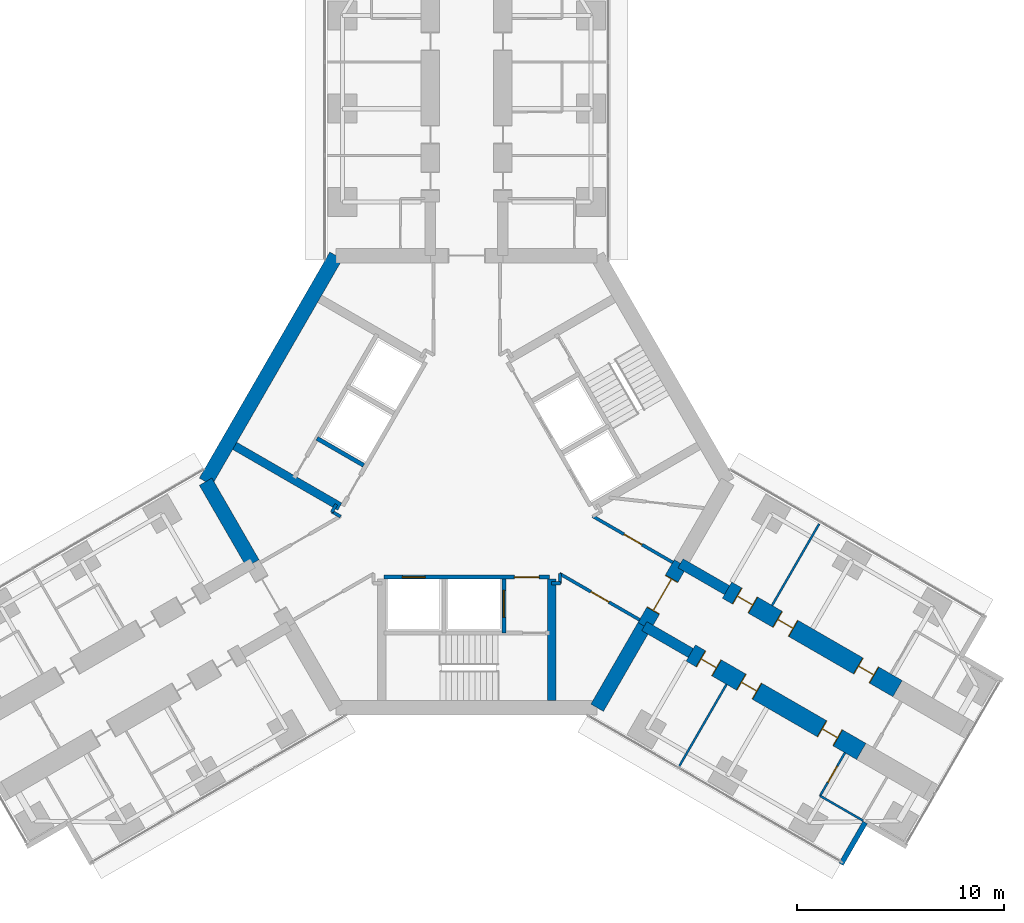
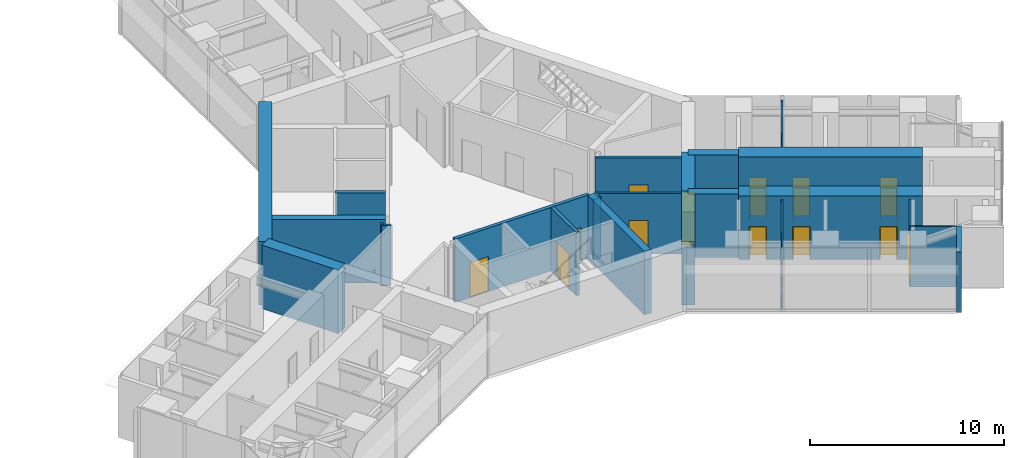
# One storey, part 21 of 25: 24 walls, 13 doors, 13 openings.
"""IFC4 building model written with IfcOpenShell, lengths in metres."""

from ifc_helpers import new_model, si_unit, direction, frame, frame_2d, origin, place, context, subcontext, project, spatial, rectangle, extrude, material, layer, layer_set, type_object, element, fill, save


model = new_model("IFC4")

# Units and contexts
model_context = context("Model", 3, precision=1e-05, world=origin(), true_north=direction((0.0, 1.0)))
body_context = subcontext(model_context, "Body", "Model", "MODEL_VIEW")
ifc_project = project(units=[si_unit("LENGTHUNIT", "METRE"), si_unit("AREAUNIT", "SQUARE_METRE"), si_unit("VOLUMEUNIT", "CUBIC_METRE"), si_unit("PLANEANGLEUNIT", "RADIAN"), si_unit("MASSUNIT", "GRAM", prefix="KILO")], contexts=[model_context])

# Site, building, storey
site_placement = place(None, origin())
site = spatial("IfcSite", under=ifc_project, at=site_placement, CompositionType="ELEMENT")
building_placement = place(site_placement, origin())
building = spatial("IfcBuilding", under=site, at=building_placement, Name="Upepo Twin Towers", CompositionType="ELEMENT")
storey_placement = place(building_placement, frame((0.0, 0.0, 76.5)))
storey = spatial("IfcBuildingStorey", under=building, at=storey_placement, Name="L18", CompositionType="ELEMENT", Elevation=76.5)

# Walls
ifc_material_1 = material(Name="Concrete C60/75", Category="concrete")
ifc_layer_1 = layer(ifc_material_1, 0.5)
ifc_layer_set_1 = layer_set([ifc_layer_1], Name="Concrete C60/75")
wall_type_1 = type_object("IfcWallType", Name="Buttress wall 500 RC", PredefinedType="SHEAR", material=ifc_layer_set_1)
for number, where, z_axis, x_axis, name in (
    (1, (68.82177734375, -21.938720703125, 0.0), (0.0, 0.0, 1.0), (0.866072649678, -0.499918158782, 0.0), "T2 wing C buttress wall L"),
    (2, (67.07177734375, -24.9697265625, 0.0), (0.0, 0.0, 1.0), (0.866031863473, -0.499988811324, 0.0), "T2 wing C buttress wall R"),
):
    element("IfcWall", number, at=place(storey_placement, frame(where, z_axis=z_axis, x_axis=x_axis)), inside=storey, type_object=wall_type_1, Name=name, PredefinedType="SHEAR", context=body_context, shape_type="SweptSolid", body=[
        extrude(rectangle(XDim=2.591796875, YDim=0.5, at=frame_2d((1.2958984375, 0.0))), origin(), (0.0, 0.0, 1.0), 4.0),
    ])

# Wall, openings, doors
ifc_material_2 = material(Name="Concrete C60/75", Category="concrete")
ifc_layer_2 = layer(ifc_material_2, 0.89990234375)
ifc_layer_set_2 = layer_set([ifc_layer_2], Name="Concrete C60/75")
wall_type_2 = type_object("IfcWallType", Name="Buttress wall 900 RC", PredefinedType="SHEAR", material=ifc_layer_set_2)
wall_1_placement = place(storey_placement, frame((71.06640625, -23.234375, 0.0), z_axis=(0.0, 0.0, 1.0), x_axis=(0.86602681393, -0.499997557548, 0.0)))
wall_1 = element("IfcWall", 3, at=wall_1_placement, inside=storey, type_object=wall_type_2, Name="T2 wing C buttress wall L part 2", PredefinedType="SHEAR", context=body_context, shape_type="SweptSolid", body=[
    extrude(rectangle(XDim=9.5, YDim=0.89990234375, at=frame_2d((4.75, 0.0))), origin(), (0.0, 0.0, 1.0), 4.0),
])
opening_1_placement = place(wall_1_placement, frame((0.550048828125, 0.0, 0.0)))
opening_1 = element("IfcOpeningElement", 4, at=opening_1_placement, cuts=wall_1, Name="Opening D14", PredefinedType="OPENING", context=body_context, shape_type="SweptSolid", body=[
    extrude(rectangle(XDim=0.89990234375, YDim=2.10009765625, at=frame_2d((0.449951171875, 1.050048828125))), frame((0.0, 0.4599609375, 0.0), z_axis=(0.0, -1.0, 0.0), x_axis=(1.0, 0.0, 0.0)), (0.0, 0.0, 1.0), 0.919921875),
])
opening_2_placement = place(wall_1_placement, frame((2.800048828125, 0.0, 0.0)))
opening_2 = element("IfcOpeningElement", 5, at=opening_2_placement, cuts=wall_1, Name="Opening D14", PredefinedType="OPENING", context=body_context, shape_type="SweptSolid", body=[
    extrude(rectangle(XDim=0.89990234375, YDim=2.10009765625, at=frame_2d((0.449951171875, 1.050048828125))), frame((0.0, 0.4599609375, 0.0), z_axis=(0.0, -1.0, 0.0), x_axis=(1.0, 0.0, 0.0)), (0.0, 0.0, 1.0), 0.919921875),
])
opening_3_placement = place(wall_1_placement, frame((7.300048828125, 0.0, 0.0)))
opening_3 = element("IfcOpeningElement", 6, at=opening_3_placement, cuts=wall_1, Name="Opening D14", PredefinedType="OPENING", context=body_context, shape_type="SweptSolid", body=[
    extrude(rectangle(XDim=0.89990234375, YDim=2.10009765625, at=frame_2d((0.449951171875, 1.050048828125))), frame((0.0, 0.4599609375, 0.0), z_axis=(0.0, -1.0, 0.0), x_axis=(1.0, 0.0, 0.0)), (0.0, 0.0, 1.0), 0.919921875),
])
ifc_material_3 = material(Name="Timber doorset", Category="wood")
door_type_1 = type_object("IfcDoorType", Name="Office door 900 FD30", OperationType="SINGLE_SWING_LEFT", PredefinedType="DOOR", material=ifc_material_3)
door_1_placement = place(opening_1_placement, origin())
door_1 = element("IfcDoor", 7, at=door_1_placement, inside=storey, type_object=door_type_1, Name="T2 L18 staff office door", OperationType="SINGLE_SWING_LEFT", OverallHeight=2.10009765625, OverallWidth=0.89990234375, PredefinedType="DOOR", context=body_context, shape_type="SweptSolid", body=[
    extrude(rectangle(XDim=0.81990234375, YDim=2.06009765625, at=frame_2d((0.449951171875, 1.030029296875))), frame((0.0, 0.02490234375, 0.0), z_axis=(0.0, -1.0, 0.0), x_axis=(1.0, 0.0, 0.0)), (0.0, 0.0, 1.0), 0.050048828125),
    extrude(rectangle(XDim=0.04, YDim=2.10009765625, at=frame_2d((0.02001953125, 1.050048828125))), frame((0.0, 0.44970703125, 0.0), z_axis=(0.0, -1.0, 0.0), x_axis=(1.0, 0.0, 0.0)), (0.0, 0.0, 1.0), 0.8994140625),
    extrude(rectangle(XDim=0.04, YDim=2.10009765625, at=frame_2d((0.8798828125, 1.050048828125))), frame((0.0, 0.44970703125, 0.0), z_axis=(0.0, -1.0, 0.0), x_axis=(1.0, 0.0, 0.0)), (0.0, 0.0, 1.0), 0.8994140625),
    extrude(rectangle(XDim=0.81990234375, YDim=0.04, at=frame_2d((0.449951171875, 2.080078125))), frame((0.0, 0.44970703125, 0.0), z_axis=(0.0, -1.0, 0.0), x_axis=(1.0, 0.0, 0.0)), (0.0, 0.0, 1.0), 0.8994140625),
])
fill(opening_1, door_1)
door_2_placement = place(opening_2_placement, origin())
door_2 = element("IfcDoor", 8, at=door_2_placement, inside=storey, type_object=door_type_1, Name="T2 L18 open-plan staff office door", OperationType="SINGLE_SWING_LEFT", OverallHeight=2.10009765625, OverallWidth=0.89990234375, PredefinedType="DOOR", context=body_context, shape_type="SweptSolid", body=[
    extrude(rectangle(XDim=0.81990234375, YDim=2.06009765625, at=frame_2d((0.449951171875, 1.030029296875))), frame((0.0, 0.02490234375, 0.0), z_axis=(0.0, -1.0, 0.0), x_axis=(1.0, 0.0, 0.0)), (0.0, 0.0, 1.0), 0.050048828125),
    extrude(rectangle(XDim=0.04, YDim=2.10009765625, at=frame_2d((0.02001953125, 1.050048828125))), frame((0.0, 0.44970703125, 0.0), z_axis=(0.0, -1.0, 0.0), x_axis=(1.0, 0.0, 0.0)), (0.0, 0.0, 1.0), 0.8994140625),
    extrude(rectangle(XDim=0.04, YDim=2.10009765625, at=frame_2d((0.8798828125, 1.050048828125))), frame((0.0, 0.44970703125, 0.0), z_axis=(0.0, -1.0, 0.0), x_axis=(1.0, 0.0, 0.0)), (0.0, 0.0, 1.0), 0.8994140625),
    extrude(rectangle(XDim=0.81990234375, YDim=0.04, at=frame_2d((0.449951171875, 2.080078125))), frame((0.0, 0.44970703125, 0.0), z_axis=(0.0, -1.0, 0.0), x_axis=(1.0, 0.0, 0.0)), (0.0, 0.0, 1.0), 0.8994140625),
])
fill(opening_2, door_2)
door_3_placement = place(opening_3_placement, origin())
door_3 = element("IfcDoor", 9, at=door_3_placement, inside=storey, type_object=door_type_1, Name="T2 L18 open-plan staff office door", OperationType="SINGLE_SWING_RIGHT", OverallHeight=2.10009765625, OverallWidth=0.89990234375, PredefinedType="DOOR", context=body_context, shape_type="SweptSolid", body=[
    extrude(rectangle(XDim=0.81990234375, YDim=2.06009765625, at=frame_2d((0.449951171875, 1.030029296875))), frame((0.0, 0.02490234375, 0.0), z_axis=(0.0, -1.0, 0.0), x_axis=(1.0, 0.0, 0.0)), (0.0, 0.0, 1.0), 0.050048828125),
    extrude(rectangle(XDim=0.04, YDim=2.10009765625, at=frame_2d((0.02001953125, 1.050048828125))), frame((0.0, 0.44970703125, 0.0), z_axis=(0.0, -1.0, 0.0), x_axis=(1.0, 0.0, 0.0)), (0.0, 0.0, 1.0), 0.8994140625),
    extrude(rectangle(XDim=0.04, YDim=2.10009765625, at=frame_2d((0.8798828125, 1.050048828125))), frame((0.0, 0.44970703125, 0.0), z_axis=(0.0, -1.0, 0.0), x_axis=(1.0, 0.0, 0.0)), (0.0, 0.0, 1.0), 0.8994140625),
    extrude(rectangle(XDim=0.81990234375, YDim=0.04, at=frame_2d((0.449951171875, 2.080078125))), frame((0.0, 0.44970703125, 0.0), z_axis=(0.0, -1.0, 0.0), x_axis=(1.0, 0.0, 0.0)), (0.0, 0.0, 1.0), 0.8994140625),
])
fill(opening_3, door_3)

wall_2_placement = place(storey_placement, frame((69.31640625, -26.265625, 0.0), z_axis=(0.0, 0.0, 1.0), x_axis=(0.86602681393, -0.499997557548, 0.0)))
wall_2 = element("IfcWall", 10, at=wall_2_placement, inside=storey, type_object=wall_type_2, Name="T2 wing C buttress wall R part 2", PredefinedType="SHEAR", context=body_context, shape_type="SweptSolid", body=[
    extrude(rectangle(XDim=9.5, YDim=0.89990234375, at=frame_2d((4.75, 0.0))), origin(), (0.0, 0.0, 1.0), 4.0),
])
opening_4_placement = place(wall_2_placement, frame((0.550048828125, 0.0, 0.0)))
opening_4 = element("IfcOpeningElement", 11, at=opening_4_placement, cuts=wall_2, Name="Opening D14", PredefinedType="OPENING", context=body_context, shape_type="SweptSolid", body=[
    extrude(rectangle(XDim=0.89990234375, YDim=2.10009765625, at=frame_2d((0.449951171875, 1.050048828125))), frame((0.0, 0.4599609375, 0.0), z_axis=(0.0, -1.0, 0.0), x_axis=(1.0, 0.0, 0.0)), (0.0, 0.0, 1.0), 0.919921875),
])
opening_5_placement = place(wall_2_placement, frame((2.800048828125, 0.0, 0.0)))
opening_5 = element("IfcOpeningElement", 12, at=opening_5_placement, cuts=wall_2, Name="Opening D14", PredefinedType="OPENING", context=body_context, shape_type="SweptSolid", body=[
    extrude(rectangle(XDim=0.89990234375, YDim=2.10009765625, at=frame_2d((0.449951171875, 1.050048828125))), frame((0.0, 0.4599609375, 0.0), z_axis=(0.0, -1.0, 0.0), x_axis=(1.0, 0.0, 0.0)), (0.0, 0.0, 1.0), 0.919921875),
])
opening_6_placement = place(wall_2_placement, frame((7.300048828125, 0.0, 0.0)))
opening_6 = element("IfcOpeningElement", 13, at=opening_6_placement, cuts=wall_2, Name="Opening D14", PredefinedType="OPENING", context=body_context, shape_type="SweptSolid", body=[
    extrude(rectangle(XDim=0.89990234375, YDim=2.10009765625, at=frame_2d((0.449951171875, 1.050048828125))), frame((0.0, 0.4599609375, 0.0), z_axis=(0.0, -1.0, 0.0), x_axis=(1.0, 0.0, 0.0)), (0.0, 0.0, 1.0), 0.919921875),
])
door_4_placement = place(opening_4_placement, origin())
door_4 = element("IfcDoor", 14, at=door_4_placement, inside=storey, type_object=door_type_1, Name="T2 L18 postgraduate office door", OperationType="SINGLE_SWING_LEFT", OverallHeight=2.10009765625, OverallWidth=0.89990234375, PredefinedType="DOOR", context=body_context, shape_type="SweptSolid", body=[
    extrude(rectangle(XDim=0.81990234375, YDim=2.06009765625, at=frame_2d((0.449951171875, 1.030029296875))), frame((0.0, 0.02490234375, 0.0), z_axis=(0.0, -1.0, 0.0), x_axis=(1.0, 0.0, 0.0)), (0.0, 0.0, 1.0), 0.050048828125),
    extrude(rectangle(XDim=0.04, YDim=2.10009765625, at=frame_2d((0.02001953125, 1.050048828125))), frame((0.0, 0.44970703125, 0.0), z_axis=(0.0, -1.0, 0.0), x_axis=(1.0, 0.0, 0.0)), (0.0, 0.0, 1.0), 0.8994140625),
    extrude(rectangle(XDim=0.04, YDim=2.10009765625, at=frame_2d((0.8798828125, 1.050048828125))), frame((0.0, 0.44970703125, 0.0), z_axis=(0.0, -1.0, 0.0), x_axis=(1.0, 0.0, 0.0)), (0.0, 0.0, 1.0), 0.8994140625),
    extrude(rectangle(XDim=0.81990234375, YDim=0.04, at=frame_2d((0.449951171875, 2.080078125))), frame((0.0, 0.44970703125, 0.0), z_axis=(0.0, -1.0, 0.0), x_axis=(1.0, 0.0, 0.0)), (0.0, 0.0, 1.0), 0.8994140625),
])
fill(opening_4, door_4)
door_5_placement = place(opening_5_placement, origin())
door_5 = element("IfcDoor", 15, at=door_5_placement, inside=storey, type_object=door_type_1, Name="T2 L18 open-plan staff office door", OperationType="SINGLE_SWING_LEFT", OverallHeight=2.10009765625, OverallWidth=0.89990234375, PredefinedType="DOOR", context=body_context, shape_type="SweptSolid", body=[
    extrude(rectangle(XDim=0.81990234375, YDim=2.06009765625, at=frame_2d((0.449951171875, 1.030029296875))), frame((0.0, 0.02490234375, 0.0), z_axis=(0.0, -1.0, 0.0), x_axis=(1.0, 0.0, 0.0)), (0.0, 0.0, 1.0), 0.050048828125),
    extrude(rectangle(XDim=0.04, YDim=2.10009765625, at=frame_2d((0.02001953125, 1.050048828125))), frame((0.0, 0.44970703125, 0.0), z_axis=(0.0, -1.0, 0.0), x_axis=(1.0, 0.0, 0.0)), (0.0, 0.0, 1.0), 0.8994140625),
    extrude(rectangle(XDim=0.04, YDim=2.10009765625, at=frame_2d((0.8798828125, 1.050048828125))), frame((0.0, 0.44970703125, 0.0), z_axis=(0.0, -1.0, 0.0), x_axis=(1.0, 0.0, 0.0)), (0.0, 0.0, 1.0), 0.8994140625),
    extrude(rectangle(XDim=0.81990234375, YDim=0.04, at=frame_2d((0.449951171875, 2.080078125))), frame((0.0, 0.44970703125, 0.0), z_axis=(0.0, -1.0, 0.0), x_axis=(1.0, 0.0, 0.0)), (0.0, 0.0, 1.0), 0.8994140625),
])
fill(opening_5, door_5)
door_6_placement = place(opening_6_placement, origin())
door_6 = element("IfcDoor", 16, at=door_6_placement, inside=storey, type_object=door_type_1, Name="T2 L18 open-plan staff office door", OperationType="SINGLE_SWING_RIGHT", OverallHeight=2.10009765625, OverallWidth=0.89990234375, PredefinedType="DOOR", context=body_context, shape_type="SweptSolid", body=[
    extrude(rectangle(XDim=0.81990234375, YDim=2.06009765625, at=frame_2d((0.449951171875, 1.030029296875))), frame((0.0, 0.02490234375, 0.0), z_axis=(0.0, -1.0, 0.0), x_axis=(1.0, 0.0, 0.0)), (0.0, 0.0, 1.0), 0.050048828125),
    extrude(rectangle(XDim=0.04, YDim=2.10009765625, at=frame_2d((0.02001953125, 1.050048828125))), frame((0.0, 0.44970703125, 0.0), z_axis=(0.0, -1.0, 0.0), x_axis=(1.0, 0.0, 0.0)), (0.0, 0.0, 1.0), 0.8994140625),
    extrude(rectangle(XDim=0.04, YDim=2.10009765625, at=frame_2d((0.8798828125, 1.050048828125))), frame((0.0, 0.44970703125, 0.0), z_axis=(0.0, -1.0, 0.0), x_axis=(1.0, 0.0, 0.0)), (0.0, 0.0, 1.0), 0.8994140625),
    extrude(rectangle(XDim=0.81990234375, YDim=0.04, at=frame_2d((0.449951171875, 2.080078125))), frame((0.0, 0.44970703125, 0.0), z_axis=(0.0, -1.0, 0.0), x_axis=(1.0, 0.0, 0.0)), (0.0, 0.0, 1.0), 0.8994140625),
])
fill(opening_6, door_6)

# Walls
ifc_material_4 = material(Name="Concrete C60/75", Category="concrete")
ifc_layer_3 = layer(ifc_material_4, 0.699951171875)
ifc_layer_set_3 = layer_set([ifc_layer_3], Name="Concrete C60/75")
wall_type_3 = type_object("IfcWallType", Name="Core wall 700 RC", PredefinedType="SHEAR", material=ifc_layer_set_3)
wall_3_placement = place(storey_placement, frame((52.2021484375, -7.091552734375, 0.0), z_axis=(0.0, 0.0, 1.0), x_axis=(-0.500005998175, -0.866021940709, 0.0)))
element("IfcWall", 17, at=wall_3_placement, inside=storey, type_object=wall_type_3, Name="T2 core wall 060", PredefinedType="SHEAR", context=body_context, shape_type="SweptSolid", body=[
    extrude(rectangle(XDim=12.595947265625, YDim=0.699951171875, at=frame_2d((6.2978515625, 0.0))), origin(), (0.0, 0.0, 1.0), 4.0),
])
for number, where, z_axis, x_axis, name in (
    (18, (45.904052734375, -18.0, 0.0), (0.0, 0.0, 1.0), (0.500024481964, -0.866011268655, 0.0), "T2 core wall 120 R"),
    (19, (64.7978515625, -28.908447265625, 0.0), (0.0, 0.0, 1.0), (0.499984222037, 0.866034513004, 0.0), "T2 core wall 240 R"),
):
    element("IfcWall", number, at=place(storey_placement, frame(where, z_axis=z_axis, x_axis=x_axis)), inside=storey, type_object=wall_type_3, Name=name, PredefinedType="SHEAR", context=body_context, shape_type="SweptSolid", body=[
        extrude(rectangle(XDim=4.548095703125, YDim=0.699951171875, at=frame_2d((2.27392578125, 0.0))), origin(), (0.0, 0.0, 1.0), 4.0),
    ])

# Wall, opening, door
wall_4_placement = place(storey_placement, frame((67.07177734375, -24.9697265625, 0.0), z_axis=(0.0, 0.0, 1.0), x_axis=(0.500010275428, 0.866019471182, 0.0)))
wall_4 = element("IfcWall", 20, at=wall_4_placement, inside=storey, type_object=wall_type_3, Name="T2 core wall 240", PredefinedType="SHEAR", context=body_context, shape_type="SweptSolid", body=[
    extrude(rectangle(XDim=3.5, YDim=0.699951171875, at=frame_2d((1.75, 0.0))), origin(), (0.0, 0.0, 1.0), 4.0),
])
opening_7_placement = place(wall_4_placement, frame((0.85009765625, 0.0, 0.0)))
opening_7 = element("IfcOpeningElement", 21, at=opening_7_placement, cuts=wall_4, Name="Opening D2", PredefinedType="OPENING", context=body_context, shape_type="SweptSolid", body=[
    extrude(rectangle(XDim=1.800048828125, YDim=2.10009765625, at=frame_2d((0.89990234375, 1.050048828125))), frame((0.0, 0.35986328125, 0.0), z_axis=(0.0, -1.0, 0.0), x_axis=(1.0, 0.0, 0.0)), (0.0, 0.0, 1.0), 0.719970703125),
])
ifc_material_5 = material(Name="Timber doorset", Category="wood")
door_type_2 = type_object("IfcDoorType", Name="Corridor double door 1800 FD60", OperationType="DOUBLE_DOOR_DOUBLE_SWING", PredefinedType="DOOR", material=ifc_material_5)
door_7_placement = place(opening_7_placement, origin())
door_7 = element("IfcDoor", 22, at=door_7_placement, inside=storey, type_object=door_type_2, Name="T2 L18 wing C corridor door", OperationType="DOUBLE_DOOR_DOUBLE_SWING", OverallHeight=2.10009765625, OverallWidth=1.800048828125, PredefinedType="DOOR", context=body_context, shape_type="SweptSolid", body=[
    extrude(rectangle(XDim=1.720048828125, YDim=2.06009765625, at=frame_2d((0.89990234375, 1.030029296875))), frame((0.0, 0.02490234375, 0.0), z_axis=(0.0, -1.0, 0.0), x_axis=(1.0, 0.0, 0.0)), (0.0, 0.0, 1.0), 0.050048828125),
    extrude(rectangle(XDim=0.04, YDim=2.10009765625, at=frame_2d((0.02001953125, 1.050048828125))), frame((0.0, 0.349609375, 0.0), z_axis=(0.0, -1.0, 0.0), x_axis=(1.0, 0.0, 0.0)), (0.0, 0.0, 1.0), 0.699462890625),
    extrude(rectangle(XDim=0.04, YDim=2.10009765625, at=frame_2d((1.780029296875, 1.050048828125))), frame((0.0, 0.349609375, 0.0), z_axis=(0.0, -1.0, 0.0), x_axis=(1.0, 0.0, 0.0)), (0.0, 0.0, 1.0), 0.699462890625),
    extrude(rectangle(XDim=1.720048828125, YDim=0.04, at=frame_2d((0.89990234375, 2.080078125))), frame((0.0, 0.349609375, 0.0), z_axis=(0.0, -1.0, 0.0), x_axis=(1.0, 0.0, 0.0)), (0.0, 0.0, 1.0), 0.699462890625),
])
fill(opening_7, door_7)

# Walls
ifc_material_6 = material(Name="Blockwork with anodised aluminium cladding", Category="masonry")
ifc_layer_4 = layer(ifc_material_6, 0.25)
ifc_layer_set_4 = layer_set([ifc_layer_4], Name="Notch cladding wall 250, pale metal")
wall_type_4 = type_object("IfcWallType", Name="Notch cladding wall 250, pale metal", PredefinedType="STANDARD", material=ifc_layer_set_4)
wall_5_placement = place(storey_placement, frame((76.5673828125, -36.456298828125, 0.0), z_axis=(0.0, 0.0, 1.0), x_axis=(0.500046648681, 0.865998469481, 0.0)))
element("IfcWall", 23, at=wall_5_placement, inside=storey, type_object=wall_type_4, Name="T2 L18 wing C notch wall R1", PredefinedType="STANDARD", context=body_context, shape_type="SweptSolid", body=[
    extrude(rectangle(XDim=2.324951171875, YDim=0.25, at=frame_2d((1.16259765625, 0.0))), origin(), (0.0, 0.0, 1.0), 3.800048828125),
])
ifc_material_7 = material(Name="Gypsum board on steel studs", Category="steel")
ifc_layer_5 = layer(ifc_material_7, 0.10009765625)
ifc_layer_set_5 = layer_set([ifc_layer_5], Name="Office partition 100 stud")
wall_type_5 = type_object("IfcWallType", Name="Office partition 100 stud", PredefinedType="PARTITIONING", material=ifc_layer_set_5)
for number, where, z_axis, x_axis, name in (
    (24, (73.239990234375, -23.9697265625, 0.0), (0.0, 0.0, 1.0), (0.499982560684, 0.866035472144, 0.0), "T2 partition CL at 15.75"),
    (25, (71.039794921875, -27.7802734375, 0.0), (0.0, 0.0, 1.0), (-0.499982560684, -0.866035472144, 0.0), "T2 partition CR at 15.75"),
):
    element("IfcWall", number, at=place(storey_placement, frame(where, z_axis=z_axis, x_axis=x_axis)), inside=storey, type_object=wall_type_5, Name=name, PredefinedType="PARTITIONING", context=body_context, shape_type="SweptSolid", body=[
        extrude(rectangle(XDim=4.550048828125, YDim=0.10009765625, at=frame_2d((2.27490234375, 0.0))), origin(), (0.0, 0.0, 1.0), 3.800048828125),
    ])
wall_6_placement = place(storey_placement, frame((75.5556640625, -33.15869140625, 0.0), z_axis=(0.0, 0.0, 1.0), x_axis=(0.866024647952, -0.500001309137, 0.0)))
element("IfcWall", 26, at=wall_6_placement, inside=storey, type_object=wall_type_5, Name="T2 inner room partition CR at 22.35", PredefinedType="PARTITIONING", context=body_context, shape_type="SweptSolid", body=[
    extrude(rectangle(XDim=2.39990234375, YDim=0.10009765625, at=frame_2d((1.199951171875, 0.0))), origin(), (0.0, 0.0, 1.0), 3.800048828125),
])

# Wall, opening, door
wall_7_placement = place(storey_placement, frame((76.755615234375, -31.080322265625, 0.0), z_axis=(0.0, 0.0, 1.0), x_axis=(-0.500001309137, -0.866024647952, 0.0)))
wall_7 = element("IfcWall", 27, at=wall_7_placement, inside=storey, type_object=wall_type_5, Name="T2 inner room partition CR end at 22.35", PredefinedType="PARTITIONING", context=body_context, shape_type="SweptSolid", body=[
    extrude(rectangle(XDim=2.39990234375, YDim=0.10009765625, at=frame_2d((1.199951171875, 0.0))), origin(), (0.0, 0.0, 1.0), 3.800048828125),
])
opening_8_placement = place(wall_7_placement, frame((0.75, 0.0, 0.0)))
opening_8 = element("IfcOpeningElement", 28, at=opening_8_placement, cuts=wall_7, Name="Opening D14", PredefinedType="OPENING", context=body_context, shape_type="SweptSolid", body=[
    extrude(rectangle(XDim=0.89990234375, YDim=2.10009765625, at=frame_2d((0.449951171875, 1.050048828125))), frame((0.0, 0.06005859375, 0.0), z_axis=(0.0, -1.0, 0.0), x_axis=(1.0, 0.0, 0.0)), (0.0, 0.0, 1.0), 0.1201171875),
])
door_8_placement = place(opening_8_placement, origin())
door_8 = element("IfcDoor", 29, at=door_8_placement, inside=storey, type_object=door_type_1, Name="T2 L18 inner room door", OperationType="SINGLE_SWING_LEFT", OverallHeight=2.10009765625, OverallWidth=0.89990234375, PredefinedType="DOOR", context=body_context, shape_type="SweptSolid", body=[
    extrude(rectangle(XDim=0.89990234375, YDim=2.10009765625, at=frame_2d((0.449951171875, 1.050048828125))), frame((0.0, 0.02490234375, 0.0), z_axis=(0.0, -1.0, 0.0), x_axis=(1.0, 0.0, 0.0)), (0.0, 0.0, 1.0), 0.050048828125),
])
fill(opening_8, door_8)

# Wall
ifc_material_8 = material(Name="Concrete C40/50", Category="concrete")
ifc_layer_6 = layer(ifc_material_8, 0.199951171875)
ifc_layer_set_6 = layer_set([ifc_layer_6], Name="Concrete C40/50")
wall_type_6 = type_object("IfcWallType", Name="Shaft wall 200 RC", PredefinedType="SHEAR", material=ifc_layer_set_6)
wall_8_placement = place(storey_placement, frame((53.52978515625, -17.208740234375, 0.0), z_axis=(0.0, 0.0, 1.0), x_axis=(-0.866062058628, 0.499936506574, 0.0)))
element("IfcWall", 30, at=wall_8_placement, inside=storey, type_object=wall_type_6, Name="T2 core W60 lobby wall", PredefinedType="SHEAR", context=body_context, shape_type="SweptSolid", body=[
    extrude(rectangle(XDim=2.599853515625, YDim=0.199951171875, at=frame_2d((1.2998046875, 0.0))), origin(), (0.0, 0.0, 1.0), 4.0),
])

# Wall, openings, doors
wall_9_placement = place(storey_placement, frame((54.5, -22.60009765625, 0.0), z_axis=(0.0, 0.0, 1.0), x_axis=(1.0, 0.0, 0.0)))
wall_9 = element("IfcWall", 31, at=wall_9_placement, inside=storey, type_object=wall_type_6, Name="T2 core W180 front wall", PredefinedType="SHEAR", context=body_context, shape_type="SweptSolid", body=[
    extrude(rectangle(XDim=8.0, YDim=0.199951171875, at=frame_2d((4.0, 0.0))), origin(), (0.0, 0.0, 1.0), 4.0),
])
opening_9_placement = place(wall_9_placement, frame((6.300048828125, 0.0, 0.0)))
opening_9 = element("IfcOpeningElement", 32, at=opening_9_placement, cuts=wall_9, Name="Opening D4", PredefinedType="OPENING", context=body_context, shape_type="SweptSolid", body=[
    extrude(rectangle(XDim=1.199951171875, YDim=2.10009765625, at=frame_2d((0.60009765625, 1.050048828125))), frame((0.0, 0.10986328125, 0.0), z_axis=(0.0, -1.0, 0.0), x_axis=(1.0, 0.0, 0.0)), (0.0, 0.0, 1.0), 0.219970703125),
])
opening_10_placement = place(wall_9_placement, frame((0.89990234375, 0.0, 0.0)))
opening_10 = element("IfcOpeningElement", 33, at=opening_10_placement, cuts=wall_9, Name="Opening LD1", PredefinedType="OPENING", context=body_context, shape_type="SweptSolid", body=[
    extrude(rectangle(XDim=1.10009765625, YDim=2.199951171875, at=frame_2d((0.550048828125, 1.10009765625))), frame((0.0, 0.10986328125, 0.0), z_axis=(0.0, -1.0, 0.0), x_axis=(1.0, 0.0, 0.0)), (0.0, 0.0, 1.0), 0.219970703125),
])
ifc_material_9 = material(Name="Steel doorset", Category="steel")
door_type_3 = type_object("IfcDoorType", Name="Lift landing door 1100", OperationType="DOUBLE_DOOR_SLIDING", PredefinedType="DOOR", material=ifc_material_9)
door_9_placement = place(opening_10_placement, origin())
door_9 = element("IfcDoor", 34, at=door_9_placement, inside=storey, type_object=door_type_3, Name="T2 L18 lift SV1 landing door", OperationType="DOUBLE_DOOR_SLIDING", OverallHeight=2.199951171875, OverallWidth=1.10009765625, PredefinedType="DOOR", context=body_context, shape_type="SweptSolid", body=[
    extrude(rectangle(XDim=1.10009765625, YDim=2.199951171875, at=frame_2d((0.550048828125, 1.10009765625))), frame((0.0, 0.02490234375, 0.0), z_axis=(0.0, -1.0, 0.0), x_axis=(1.0, 0.0, 0.0)), (0.0, 0.0, 1.0), 0.050048828125),
])
fill(opening_10, door_9)
ifc_material_10 = material(Name="Timber doorset", Category="wood")
door_type_4 = type_object("IfcDoorType", Name="Lobby door 1200 FD60", OperationType="SINGLE_SWING_LEFT", PredefinedType="DOOR", material=ifc_material_10)
door_10_placement = place(opening_9_placement, origin())
door_10 = element("IfcDoor", 35, at=door_10_placement, inside=storey, type_object=door_type_4, Name="T2 L18 W180 lobby door", OperationType="SINGLE_SWING_RIGHT", OverallHeight=2.10009765625, OverallWidth=1.199951171875, PredefinedType="DOOR", context=body_context, shape_type="SweptSolid", body=[
    extrude(rectangle(XDim=1.199951171875, YDim=2.10009765625, at=frame_2d((0.60009765625, 1.050048828125))), frame((0.0, 0.02490234375, 0.0), z_axis=(0.0, -1.0, 0.0), x_axis=(1.0, 0.0, 0.0)), (0.0, 0.0, 1.0), 0.050048828125),
])
fill(opening_9, door_10)

# Wall, opening, door
wall_10_placement = place(storey_placement, frame((60.300048828125, -22.699951171875, 0.0), z_axis=(0.0, 0.0, 1.0), x_axis=(0.0, -1.0, 0.0)))
wall_10 = element("IfcWall", 36, at=wall_10_placement, inside=storey, type_object=wall_type_6, Name="T2 core W180 lobby wall", PredefinedType="SHEAR", context=body_context, shape_type="SweptSolid", body=[
    extrude(rectangle(XDim=2.60009765625, YDim=0.199951171875, at=frame_2d((1.300048828125, 0.0))), origin(), (0.0, 0.0, 1.0), 4.0),
])
opening_11_placement = place(wall_10_placement, frame((0.550048828125, 0.0, 0.0)))
opening_11 = element("IfcOpeningElement", 37, at=opening_11_placement, cuts=wall_10, Name="Opening LD2", PredefinedType="OPENING", context=body_context, shape_type="SweptSolid", body=[
    extrude(rectangle(XDim=1.300048828125, YDim=2.199951171875, at=frame_2d((0.64990234375, 1.10009765625))), frame((0.0, 0.10986328125, 0.0), z_axis=(0.0, -1.0, 0.0), x_axis=(1.0, 0.0, 0.0)), (0.0, 0.0, 1.0), 0.219970703125),
])
ifc_material_11 = material(Name="Steel doorset", Category="steel")
door_type_5 = type_object("IfcDoorType", Name="Firefighting lift landing door 1300", OperationType="DOUBLE_DOOR_SLIDING", PredefinedType="DOOR", material=ifc_material_11)
door_11_placement = place(opening_11_placement, origin())
door_11 = element("IfcDoor", 38, at=door_11_placement, inside=storey, type_object=door_type_5, Name="T2 L18 firefighting lift landing door", OperationType="DOUBLE_DOOR_SLIDING", OverallHeight=2.199951171875, OverallWidth=1.300048828125, PredefinedType="DOOR", context=body_context, shape_type="SweptSolid", body=[
    extrude(rectangle(XDim=1.300048828125, YDim=2.199951171875, at=frame_2d((0.64990234375, 1.10009765625))), frame((0.0, 0.02490234375, 0.0), z_axis=(0.0, -1.0, 0.0), x_axis=(1.0, 0.0, 0.0)), (0.0, 0.0, 1.0), 0.050048828125),
])
fill(opening_11, door_11)

# Walls
ifc_material_12 = material(Name="Concrete C40/50", Category="concrete")
ifc_layer_7 = layer(ifc_material_12, 0.39990234375)
ifc_layer_set_7 = layer_set([ifc_layer_7], Name="Concrete C40/50")
wall_type_7 = type_object("IfcWallType", Name="Shaft wall 400 RC", PredefinedType="SHEAR", material=ifc_layer_set_7)
for number, where, z_axis, x_axis, name in (
    (39, (52.379638671875, -19.20068359375, 0.0), (0.0, 0.0, 1.0), (-0.866023886965, 0.500002627198, 0.0), "T2 core W60 side wall N"),
    (40, (62.60009765625, -22.699951171875, 0.0), (0.0, 0.0, 1.0), (0.0, -1.0, 0.0), "T2 core W180 side wall N"),
):
    element("IfcWall", number, at=place(storey_placement, frame(where, z_axis=z_axis, x_axis=x_axis)), inside=storey, type_object=wall_type_7, Name=name, PredefinedType="SHEAR", context=body_context, shape_type="SweptSolid", body=[
        extrude(rectangle(XDim=5.8583984375, YDim=0.39990234375, at=frame_2d((2.92919921875, 0.0))), origin(), (0.0, 0.0, 1.0), 4.0),
    ])
ifc_material_13 = material(Name="Gypsum board on steel studs", Category="steel")
ifc_layer_8 = layer(ifc_material_13, 0.14990234375)
ifc_layer_set_8 = layer_set([ifc_layer_8], Name="Teaching partition 150 acoustic")
wall_type_8 = type_object("IfcWallType", Name="Teaching partition 150 acoustic", PredefinedType="PARTITIONING", material=ifc_layer_set_8)
wall_11_placement = place(storey_placement, frame((52.417236328125, -19.684326171875, 0.0), z_axis=(0.0, 0.0, 1.0), x_axis=(-0.865831790172, 0.50033519877, 0.0)))
element("IfcWall", 41, at=wall_11_placement, inside=storey, type_object=wall_type_8, Name="T2 core room partition 4", PredefinedType="PARTITIONING", context=body_context, shape_type="SweptSolid", body=[
    extrude(rectangle(XDim=0.494384765625, YDim=0.14990234375, at=frame_2d((0.2470703125, 0.0))), origin(), (0.0, 0.0, 1.0), 3.800048828125),
])
wall_12_placement = place(storey_placement, frame((51.99658203125, -19.46435546875, 0.0), z_axis=(0.0, 0.0, 1.0), x_axis=(0.499804398801, 0.866138304741, 0.0)))
element("IfcWall", 42, at=wall_12_placement, inside=storey, type_object=wall_type_8, Name="T2 core room partition 5", PredefinedType="PARTITIONING", context=body_context, shape_type="SweptSolid", body=[
    extrude(rectangle(XDim=0.429931640625, YDim=0.14990234375, at=frame_2d((0.21484375, 0.0))), origin(), (0.0, 0.0, 1.0), 3.800048828125),
])

# Wall, opening, door
wall_13_placement = place(storey_placement, frame((64.582763671875, -19.664306640625, 0.0), z_axis=(0.0, 0.0, 1.0), x_axis=(0.866025445582, -0.499999927604, 0.0)))
wall_13 = element("IfcWall", 43, at=wall_13_placement, inside=storey, type_object=wall_type_8, Name="T2 core room partition 14", PredefinedType="PARTITIONING", context=body_context, shape_type="SweptSolid", body=[
    extrude(rectangle(XDim=4.46826171875, YDim=0.14990234375, at=frame_2d((2.234130859375, 0.0))), origin(), (0.0, 0.0, 1.0), 3.800048828125),
])
opening_12_placement = place(wall_13_placement, frame((1.744384765625, 0.0, 0.0)))
opening_12 = element("IfcOpeningElement", 44, at=opening_12_placement, cuts=wall_13, Name="Opening D1", PredefinedType="OPENING", context=body_context, shape_type="SweptSolid", body=[
    extrude(rectangle(XDim=1.0, YDim=2.10009765625, at=frame_2d((0.5, 1.050048828125))), frame((0.0, 0.0849609375, 0.0), z_axis=(0.0, -1.0, 0.0), x_axis=(1.0, 0.0, 0.0)), (0.0, 0.0, 1.0), 0.169921875),
])
ifc_material_14 = material(Name="Timber doorset", Category="wood")
door_type_6 = type_object("IfcDoorType", Name="Room door 1000 FD30", OperationType="SINGLE_SWING_LEFT", PredefinedType="DOOR", material=ifc_material_14)
door_12_placement = place(opening_12_placement, origin())
door_12 = element("IfcDoor", 45, at=door_12_placement, inside=storey, type_object=door_type_6, Name="T2 L18 core room door K4", OperationType="SINGLE_SWING_RIGHT", OverallHeight=2.10009765625, OverallWidth=1.0, PredefinedType="DOOR", context=body_context, shape_type="SweptSolid", body=[
    extrude(rectangle(XDim=1.0, YDim=2.10009765625, at=frame_2d((0.5, 1.050048828125))), frame((0.0, 0.02490234375, 0.0), z_axis=(0.0, -1.0, 0.0), x_axis=(1.0, 0.0, 0.0)), (0.0, 0.0, 1.0), 0.050048828125),
])
fill(opening_12, door_12)

wall_14_placement = place(storey_placement, frame((66.8525390625, -24.669921875, 0.0), z_axis=(0.0, 0.0, 1.0), x_axis=(-0.866015446554, 0.500017246033, 0.0)))
wall_14 = element("IfcWall", 46, at=wall_14_placement, inside=storey, type_object=wall_type_8, Name="T2 core room partition 15", PredefinedType="PARTITIONING", context=body_context, shape_type="SweptSolid", body=[
    extrude(rectangle(XDim=4.468505859375, YDim=0.14990234375, at=frame_2d((2.234375, 0.0))), origin(), (0.0, 0.0, 1.0), 3.800048828125),
])
opening_13_placement = place(wall_14_placement, frame((1.72412109375, 0.0, 0.0)))
opening_13 = element("IfcOpeningElement", 47, at=opening_13_placement, cuts=wall_14, Name="Opening D1", PredefinedType="OPENING", context=body_context, shape_type="SweptSolid", body=[
    extrude(rectangle(XDim=1.0, YDim=2.10009765625, at=frame_2d((0.5, 1.050048828125))), frame((0.0, 0.0849609375, 0.0), z_axis=(0.0, -1.0, 0.0), x_axis=(1.0, 0.0, 0.0)), (0.0, 0.0, 1.0), 0.169921875),
])
door_13_placement = place(opening_13_placement, origin())
door_13 = element("IfcDoor", 48, at=door_13_placement, inside=storey, type_object=door_type_6, Name="T2 L18 core room door K3", OperationType="SINGLE_SWING_LEFT", OverallHeight=2.10009765625, OverallWidth=1.0, PredefinedType="DOOR", context=body_context, shape_type="SweptSolid", body=[
    extrude(rectangle(XDim=1.0, YDim=2.10009765625, at=frame_2d((0.5, 1.050048828125))), frame((0.0, 0.02490234375, 0.0), z_axis=(0.0, -1.0, 0.0), x_axis=(1.0, 0.0, 0.0)), (0.0, 0.0, 1.0), 0.050048828125),
])
fill(opening_13, door_13)

# Walls
wall_15_placement = place(storey_placement, frame((63.0, -22.425537109375, 0.0), z_axis=(0.0, 0.0, 1.0), x_axis=(0.0, -1.0, 0.0)))
element("IfcWall", 49, at=wall_15_placement, inside=storey, type_object=wall_type_8, Name="T2 core room partition 16", PredefinedType="PARTITIONING", context=body_context, shape_type="SweptSolid", body=[
    extrude(rectangle(XDim=0.494384765625, YDim=0.14990234375, at=frame_2d((0.2470703125, 0.0))), origin(), (0.0, 0.0, 1.0), 3.800048828125),
])
wall_16_placement = place(storey_placement, frame((63.02001953125, -22.89990234375, 0.0), z_axis=(0.0, 0.0, 1.0), x_axis=(-1.0, 0.0, 0.0)))
element("IfcWall", 50, at=wall_16_placement, inside=storey, type_object=wall_type_8, Name="T2 core room partition 17", PredefinedType="PARTITIONING", context=body_context, shape_type="SweptSolid", body=[
    extrude(rectangle(XDim=0.429931640625, YDim=0.14990234375, at=frame_2d((0.21484375, 0.0))), origin(), (0.0, 0.0, 1.0), 3.800048828125),
])

save(model, "model.ifc")
